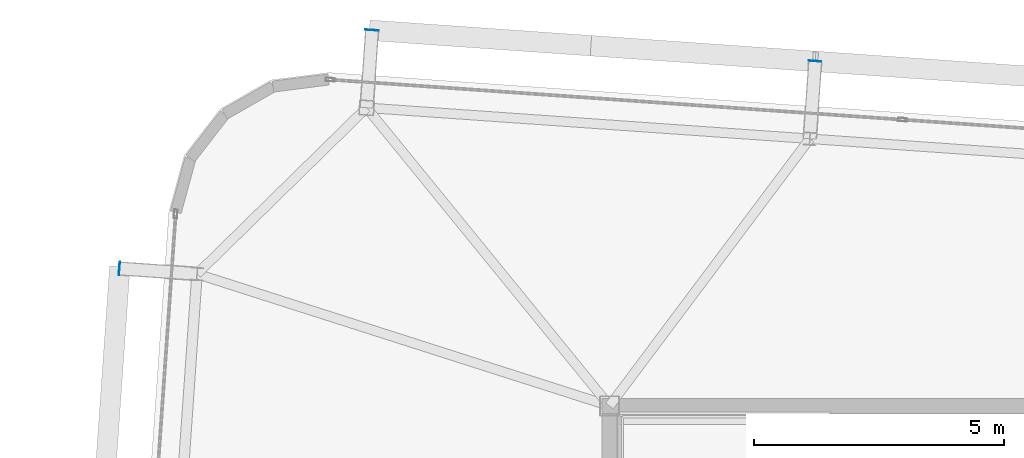
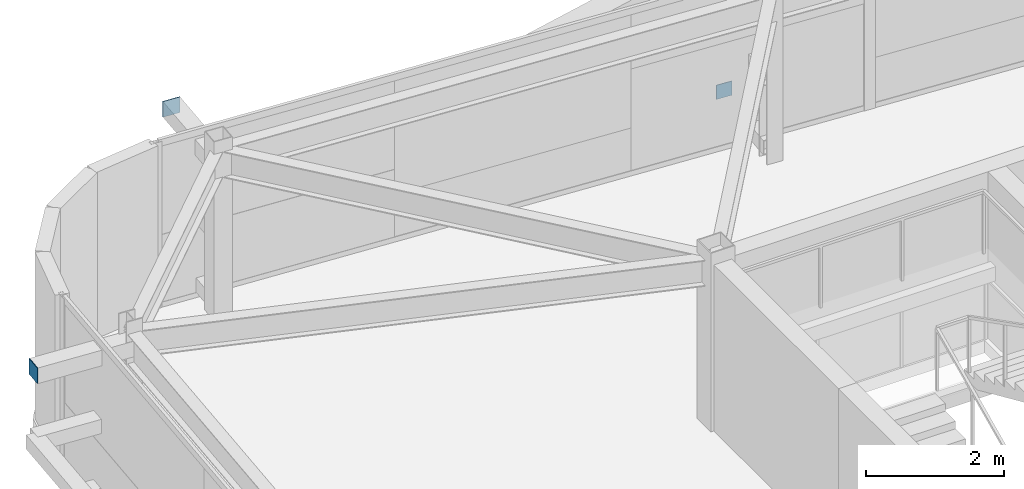
# One storey, part 32 of 39: 3 plates.
"""IFC4 building model written with IfcOpenShell, lengths in metres."""

from ifc_helpers import new_model, si_unit, direction, frame, origin, origin_2d, place, context, subcontext, project, spatial, rectangle, extrude, source, transform, mapped, material, layer, layer_set, type_object, element, save


model = new_model("IFC4")

# Units and contexts
model_context = context("Model", 3, precision=1e-05, world=origin(), true_north=direction((0.0, 1.0)))
body_context = subcontext(model_context, "Body", "Model", "MODEL_VIEW")
ifc_project = project(units=[si_unit("LENGTHUNIT", "METRE"), si_unit("AREAUNIT", "SQUARE_METRE"), si_unit("VOLUMEUNIT", "CUBIC_METRE"), si_unit("PLANEANGLEUNIT", "RADIAN"), si_unit("MASSUNIT", "GRAM", prefix="KILO")], contexts=[model_context])

# Site, building, storey
site_placement = place(None, origin())
site = spatial("IfcSite", under=ifc_project, at=site_placement, CompositionType="ELEMENT")
building_placement = place(site_placement, origin())
building = spatial("IfcBuilding", under=site, at=building_placement, Name="Taldren Reach Tower", CompositionType="ELEMENT")
storey_placement = place(building_placement, frame((0.0, 0.0, 126.699951171875)))
storey = spatial("IfcBuildingStorey", under=building, at=storey_placement, Name="L38", CompositionType="ELEMENT", Elevation=126.699951171875)

# Plates
ifc_material_1 = material(Name="Steel Gr 450 (C450L0)", Category="steel")
ifc_layer_1 = layer(ifc_material_1, 0.011962890625)
ifc_layer_set_1 = layer_set([ifc_layer_1], Name="Steel Gr 450 (C450L0)")
plate_type_1 = type_object("IfcPlateType", Name="PL-CAP-275", PredefinedType="SHEET", material=ifc_layer_set_1)
shared_shape_1 = source(origin(), body_context, "Body", "SweptSolid", [
    extrude(rectangle(XDim=0.27490234375, YDim=0.011962890625, at=origin_2d()), origin(), (0.0, 0.0, 1.0), 0.27490234375),
])
plate_1_placement = place(storey_placement, frame((14.253173828125, 39.510986328125, 2.5126953125), z_axis=(0.0, 0.0, 1.0), x_axis=(0.99756405026, -0.069756473744, 0.0)))
element("IfcPlate", 1, at=plate_1_placement, inside=storey, type_object=plate_type_1, Name="Tie strut end cap plate B3-N1 L38", PredefinedType="SHEET", context=body_context, shape_type="MappedRepresentation", body=[
    mapped(shared_shape_1, transform((0.0, 0.0, 0.0), scale=1.0)),
])
shared_shape_2 = source(origin(), body_context, "Body", "SweptSolid", [
    extrude(rectangle(XDim=0.011962890625, YDim=0.27490234375, at=origin_2d()), origin(), (0.0, 0.0, 1.0), 0.27490234375),
])
plate_2_placement = place(storey_placement, frame((9.202392578125, 34.74560546875, 2.5126953125), z_axis=(0.0, 0.0, 1.0), x_axis=(0.99756405026, -0.069756473744, 0.0)))
element("IfcPlate", 2, at=plate_2_placement, inside=storey, type_object=plate_type_1, Name="Tie strut end cap plate B3-W3 L38", PredefinedType="SHEET", context=body_context, shape_type="MappedRepresentation", body=[
    mapped(shared_shape_2, transform((0.0, 0.0, 0.0), scale=1.0)),
])
ifc_material_2 = material(Name="Steel Gr 350 (C350L0)", Category="steel")
ifc_layer_2 = layer(ifc_material_2, 0.011962890625)
ifc_layer_set_2 = layer_set([ifc_layer_2], Name="Steel Gr 350 (C350L0)")
plate_type_2 = type_object("IfcPlateType", Name="PL-CAP-250", PredefinedType="SHEET", material=ifc_layer_set_2)
shared_shape_3 = source(origin(), body_context, "Body", "SweptSolid", [
    extrude(rectangle(XDim=0.25, YDim=0.011962890625, at=origin_2d()), origin(), (0.0, 0.0, 1.0), 0.25),
])
plate_3_placement = place(storey_placement, frame((23.111572265625, 38.8916015625, 0.094970703125), z_axis=(0.0, 0.0, 1.0), x_axis=(0.99756405026, -0.069756473744, 0.0)))
element("IfcPlate", 3, at=plate_3_placement, inside=storey, type_object=plate_type_2, Name="Tie strut end cap plate B3-N2 L38", PredefinedType="SHEET", context=body_context, shape_type="MappedRepresentation", body=[
    mapped(shared_shape_3, transform((0.0, 0.0, 0.0), scale=1.0)),
])

save(model, "model.ifc")
